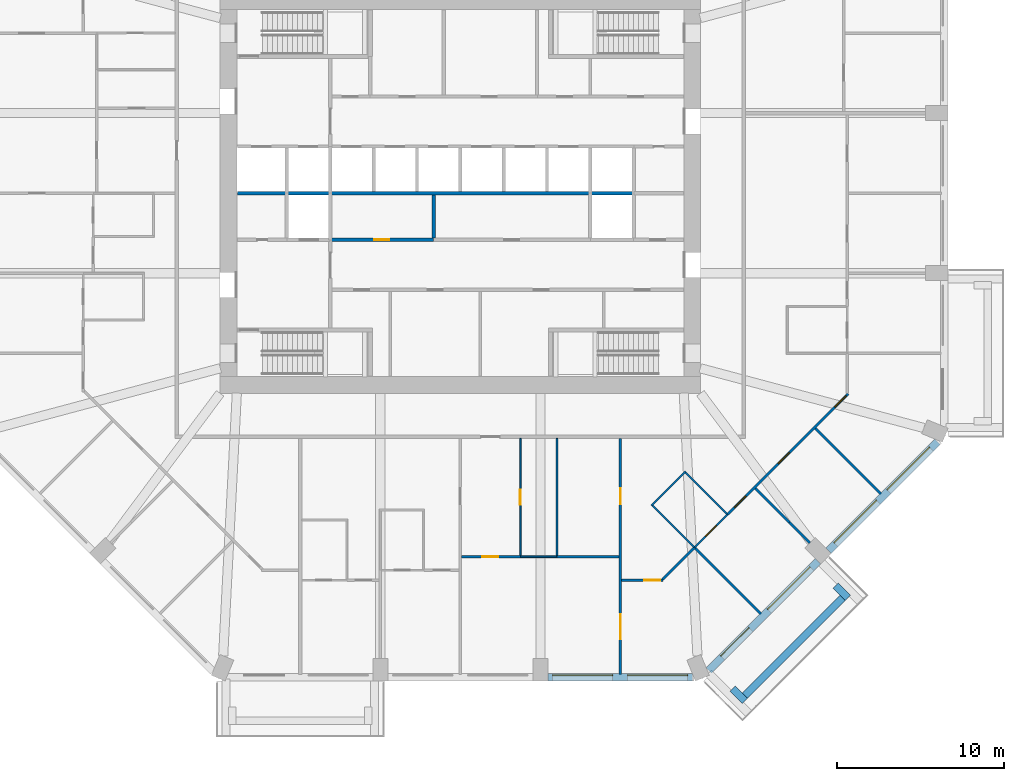
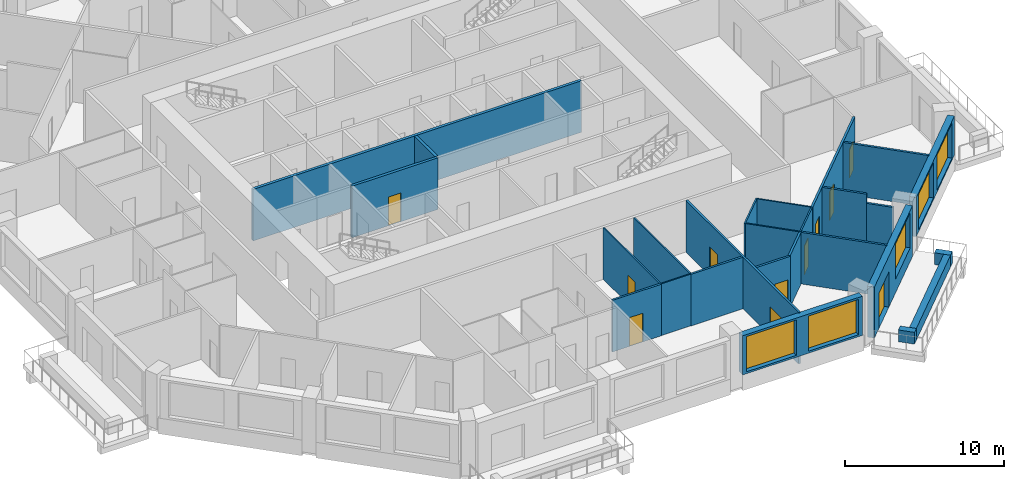
# One storey, part 5 of 13: 26 walls, 11 doors, 5 windows, 16 openings.
"""IFC4 building model written with IfcOpenShell, lengths in metres."""

from ifc_helpers import new_model, si_unit, direction, frame, frame_2d, origin, place, context, subcontext, project, spatial, rectangle, extrude, material, layer, layer_set, type_object, element, fill, save


model = new_model("IFC4")

# Units and contexts
model_context = context("Model", 3, precision=1e-05, world=origin(), true_north=direction((0.0, 1.0)))
body_context = subcontext(model_context, "Body", "Model", "MODEL_VIEW")
ifc_project = project(units=[si_unit("LENGTHUNIT", "METRE"), si_unit("AREAUNIT", "SQUARE_METRE"), si_unit("VOLUMEUNIT", "CUBIC_METRE"), si_unit("PLANEANGLEUNIT", "RADIAN"), si_unit("MASSUNIT", "GRAM", prefix="KILO")], contexts=[model_context])

# Site, building, storey
site_placement = place(None, origin())
site = spatial("IfcSite", under=ifc_project, at=site_placement, CompositionType="ELEMENT")
building_placement = place(site_placement, origin())
building = spatial("IfcBuilding", under=site, at=building_placement, Name="Msitu Wima Residences", CompositionType="ELEMENT")
storey_placement = place(building_placement, frame((0.0, 0.0, 88.5)))
storey = spatial("IfcBuildingStorey", under=building, at=storey_placement, Name="L20", CompositionType="ELEMENT", Elevation=88.5)

# Walls
ifc_material_1 = material(Name="Facing brick")
ifc_layer_1 = layer(ifc_material_1, 0.06494140625, Name="Facing brick")
ifc_material_2 = material(Name="Concrete C40/50", Category="concrete")
ifc_layer_2 = layer(ifc_material_2, 0.156005859375, Name="Concrete C40/50")
ifc_material_3 = material(Name="Waterproofing membrane")
ifc_layer_3 = layer(ifc_material_3, 0.00390625, Name="Waterproofing membrane")
ifc_material_4 = material(Name="Planting soil and planting")
ifc_layer_4 = layer(ifc_material_4, 0.22509765625, Name="Planting soil and planting")
ifc_layer_set_1 = layer_set([ifc_layer_1, ifc_layer_2, ifc_layer_3, ifc_layer_4], Name="Concrete C40/50")
wall_type_1 = type_object("IfcWallType", Name="Balcony planter PLANTER PL450", PredefinedType="USERDEFINED", material=ifc_layer_set_1)
wall_1_placement = place(storey_placement, frame((17.0693359375, -30.125732421875, 0.0), z_axis=(0.0, 0.0, 1.0), x_axis=(0.707106781187, 0.707106781187, 0.0)))
element("IfcWall", 1, at=wall_1_placement, inside=storey, type_object=wall_type_1, Name="Balcony planter SE0 L20", ObjectType="PLANTER", PredefinedType="USERDEFINED", context=body_context, shape_type="SweptSolid", body=[
    extrude(rectangle(XDim=8.2822265625, YDim=0.449951171875, at=frame_2d((4.14111328125, 0.0))), origin(), (0.0, 0.0, 1.0), 0.89990234375),
])
for number, where, z_axis, x_axis, name in (
    (2, (16.326904296875, -29.70166015625, 0.0), (0.0, 0.0, 1.0), (0.707106781187, -0.707106781187, 0.0), "Balcony planter SE0 L20"),
    (3, (22.50146484375, -23.52685546875, 0.0), (0.0, 0.0, 1.0), (0.707223014731, -0.706990528533, 0.0), "Balcony planter SE0 L20"),
):
    element("IfcWall", number, at=place(storey_placement, frame(where, z_axis=z_axis, x_axis=x_axis)), inside=storey, type_object=wall_type_1, Name=name, ObjectType="PLANTER", PredefinedType="USERDEFINED", context=body_context, shape_type="SweptSolid", body=[
        extrude(rectangle(XDim=1.050048828125, YDim=0.449951171875, at=frame_2d((0.52490234375, 0.0))), origin(), (0.0, 0.0, 1.0), 0.89990234375),
    ])

# Wall, openings, windows
ifc_material_5 = material(Name="Brick (red buff mix)", Category="masonry")
ifc_layer_5 = layer(ifc_material_5, 0.449951171875)
ifc_layer_set_2 = layer_set([ifc_layer_5], Name="Brick (red buff mix)")
wall_type_2 = type_object("IfcWallType", Name="Brick infill wall BW450", PredefinedType="SOLIDWALL", material=ifc_layer_set_2)
wall_2_placement = place(storey_placement, frame((5.25, -29.02490234375, 0.89990234375), z_axis=(0.0, 0.0, 1.0), x_axis=(1.0, 0.0, 0.0)))
wall_2 = element("IfcWall", 4, at=wall_2_placement, inside=storey, type_object=wall_type_2, Name="Brick infill wall L20 S2", PredefinedType="SOLIDWALL", context=body_context, shape_type="SweptSolid", body=[
    extrude(rectangle(XDim=8.662841796875, YDim=0.449951171875, at=frame_2d((4.33154296875, 0.0))), origin(), (0.0, 0.0, 1.0), 3.0),
])
opening_1_placement = place(wall_2_placement, frame((0.281494140625, 0.0, 0.14990234375)))
opening_1 = element("IfcOpeningElement", 5, at=opening_1_placement, cuts=wall_2, Name="Opening W18-20.020", PredefinedType="OPENING", context=body_context, shape_type="SweptSolid", body=[
    extrude(rectangle(XDim=3.60009765625, YDim=2.699951171875, at=frame_2d((1.800048828125, 1.35009765625))), frame((0.0, 0.23486328125, 0.0), z_axis=(0.0, -1.0, 0.0), x_axis=(1.0, 0.0, 0.0)), (0.0, 0.0, 1.0), 0.469970703125),
])
opening_2_placement = place(wall_2_placement, frame((4.781494140625, 0.0, 0.14990234375)))
opening_2 = element("IfcOpeningElement", 6, at=opening_2_placement, cuts=wall_2, Name="Opening W18-20.021", PredefinedType="OPENING", context=body_context, shape_type="SweptSolid", body=[
    extrude(rectangle(XDim=3.60009765625, YDim=2.699951171875, at=frame_2d((1.800048828125, 1.35009765625))), frame((0.0, 0.23486328125, 0.0), z_axis=(0.0, -1.0, 0.0), x_axis=(1.0, 0.0, 0.0)), (0.0, 0.0, 1.0), 0.469970703125),
])
ifc_material_6 = material(Name="Anodised aluminium, bronze finish, clear low-emissivity double glazing", Category="aluminium")
window_type = type_object("IfcWindowType", Name="Window W3600x2700", PartitioningType="DOUBLE_PANEL_VERTICAL", PredefinedType="WINDOW", material=ifc_material_6)
window_1_placement = place(opening_1_placement, origin())
window_1 = element("IfcWindow", 7, at=window_1_placement, inside=storey, type_object=window_type, Name="Window L20 S2.1", OverallHeight=2.699951171875, OverallWidth=3.60009765625, PartitioningType="SINGLE_PANEL", PredefinedType="WINDOW", context=body_context, shape_type="SweptSolid", body=[
    extrude(rectangle(XDim=3.60009765625, YDim=2.699951171875, at=frame_2d((1.800048828125, 1.35009765625))), frame((0.0, 0.135009765625, 0.0), z_axis=(0.0, -1.0, 0.0), x_axis=(1.0, 0.0, 0.0)), (0.0, 0.0, 1.0), 0.06005859375),
])
fill(opening_1, window_1)
window_2_placement = place(opening_2_placement, origin())
window_2 = element("IfcWindow", 8, at=window_2_placement, inside=storey, type_object=window_type, Name="Window L20 S2.2", OverallHeight=2.699951171875, OverallWidth=3.60009765625, PartitioningType="SINGLE_PANEL", PredefinedType="WINDOW", context=body_context, shape_type="SweptSolid", body=[
    extrude(rectangle(XDim=3.60009765625, YDim=2.699951171875, at=frame_2d((1.800048828125, 1.35009765625))), frame((0.0, 0.135009765625, 0.0), z_axis=(0.0, -1.0, 0.0), x_axis=(1.0, 0.0, 0.0)), (0.0, 0.0, 1.0), 0.06005859375),
])
fill(opening_2, window_2)

# Wall, openings, door, window
wall_3_placement = place(storey_placement, frame((14.903564453125, -28.61474609375, 0.0), z_axis=(0.0, 0.0, 1.0), x_axis=(0.707106781187, 0.707106781187, 0.0)))
wall_3 = element("IfcWall", 9, at=wall_3_placement, inside=storey, type_object=wall_type_2, Name="Brick infill wall L20 SE0", PredefinedType="SOLIDWALL", context=body_context, shape_type="SweptSolid", body=[
    extrude(rectangle(XDim=9.2451171875, YDim=0.449951171875, at=frame_2d((4.62255859375, 0.0))), origin(), (0.0, 0.0, 1.0), 3.89990234375),
])
opening_3_placement = place(wall_3_placement, frame((1.111328125, 0.0, 0.0)))
opening_3 = element("IfcOpeningElement", 10, at=opening_3_placement, cuts=wall_3, Name="Opening D18-20.006", PredefinedType="OPENING", context=body_context, shape_type="SweptSolid", body=[
    extrude(rectangle(XDim=2.39990234375, YDim=2.699951171875, at=frame_2d((1.199951171875, 1.35009765625))), frame((0.0, 0.23486328125, 0.0), z_axis=(0.0, -1.0, 0.0), x_axis=(1.0, 0.0, 0.0)), (0.0, 0.0, 1.0), 0.469970703125),
])
opening_4_placement = place(wall_3_placement, frame((5.072509765625, 0.0, 1.050048828125)))
opening_4 = element("IfcOpeningElement", 11, at=opening_4_placement, cuts=wall_3, Name="Opening W18-20.022", PredefinedType="OPENING", context=body_context, shape_type="SweptSolid", body=[
    extrude(rectangle(XDim=3.60009765625, YDim=2.699951171875, at=frame_2d((1.800048828125, 1.35009765625))), frame((0.0, 0.23486328125, 0.0), z_axis=(0.0, -1.0, 0.0), x_axis=(1.0, 0.0, 0.0)), (0.0, 0.0, 1.0), 0.469970703125),
])
door_type_1 = type_object("IfcDoorType", Name="Balcony door D2400x2700", OperationType="SLIDING_TO_LEFT", PredefinedType="DOOR", material=ifc_material_6)
door_1_placement = place(opening_3_placement, origin())
door_1 = element("IfcDoor", 12, at=door_1_placement, inside=storey, type_object=door_type_1, Name="Balcony door L20 SE0", OperationType="SINGLE_SWING_LEFT", OverallHeight=2.699951171875, OverallWidth=2.39990234375, PredefinedType="DOOR", context=body_context, shape_type="SweptSolid", body=[
    extrude(rectangle(XDim=2.39990234375, YDim=2.699951171875, at=frame_2d((1.199951171875, 1.35009765625))), frame((0.0, 0.1298828125, 0.0), z_axis=(0.0, -1.0, 0.0), x_axis=(1.0, 0.0, 0.0)), (0.0, 0.0, 1.0), 0.050048828125),
])
fill(opening_3, door_1)
window_3_placement = place(opening_4_placement, origin())
window_3 = element("IfcWindow", 13, at=window_3_placement, inside=storey, type_object=window_type, Name="Window L20 SE0.2", OverallHeight=2.699951171875, OverallWidth=3.60009765625, PartitioningType="SINGLE_PANEL", PredefinedType="WINDOW", context=body_context, shape_type="SweptSolid", body=[
    extrude(rectangle(XDim=3.60009765625, YDim=2.699951171875, at=frame_2d((1.800048828125, 1.35009765625))), frame((0.0, 0.135009765625, 0.0), z_axis=(0.0, -1.0, 0.0), x_axis=(1.0, 0.0, 0.0)), (0.0, 0.0, 1.0), 0.06005859375),
])
fill(opening_4, window_3)

# Wall, openings, windows
wall_4_placement = place(storey_placement, frame((22.077392578125, -21.44091796875, 0.89990234375), z_axis=(0.0, 0.0, 1.0), x_axis=(0.707106781187, 0.707106781187, 0.0)))
wall_4 = element("IfcWall", 14, at=wall_4_placement, inside=storey, type_object=wall_type_2, Name="Brick infill wall L20 SE1", PredefinedType="SOLIDWALL", context=body_context, shape_type="SweptSolid", body=[
    extrude(rectangle(XDim=9.2451171875, YDim=0.449951171875, at=frame_2d((4.62255859375, 0.0))), origin(), (0.0, 0.0, 1.0), 3.0),
])
opening_5_placement = place(wall_4_placement, frame((0.572509765625, 0.0, 0.14990234375)))
opening_5 = element("IfcOpeningElement", 15, at=opening_5_placement, cuts=wall_4, Name="Opening W18-20.023", PredefinedType="OPENING", context=body_context, shape_type="SweptSolid", body=[
    extrude(rectangle(XDim=3.60009765625, YDim=2.699951171875, at=frame_2d((1.800048828125, 1.35009765625))), frame((0.0, 0.23486328125, 0.0), z_axis=(0.0, -1.0, 0.0), x_axis=(1.0, 0.0, 0.0)), (0.0, 0.0, 1.0), 0.469970703125),
])
opening_6_placement = place(wall_4_placement, frame((5.072509765625, 0.0, 0.14990234375)))
opening_6 = element("IfcOpeningElement", 16, at=opening_6_placement, cuts=wall_4, Name="Opening W18-20.024", PredefinedType="OPENING", context=body_context, shape_type="SweptSolid", body=[
    extrude(rectangle(XDim=3.60009765625, YDim=2.699951171875, at=frame_2d((1.800048828125, 1.35009765625))), frame((0.0, 0.23486328125, 0.0), z_axis=(0.0, -1.0, 0.0), x_axis=(1.0, 0.0, 0.0)), (0.0, 0.0, 1.0), 0.469970703125),
])
window_4_placement = place(opening_5_placement, origin())
window_4 = element("IfcWindow", 17, at=window_4_placement, inside=storey, type_object=window_type, Name="Window L20 SE1.1", OverallHeight=2.699951171875, OverallWidth=3.60009765625, PartitioningType="SINGLE_PANEL", PredefinedType="WINDOW", context=body_context, shape_type="SweptSolid", body=[
    extrude(rectangle(XDim=3.60009765625, YDim=2.699951171875, at=frame_2d((1.800048828125, 1.35009765625))), frame((0.0, 0.135009765625, 0.0), z_axis=(0.0, -1.0, 0.0), x_axis=(1.0, 0.0, 0.0)), (0.0, 0.0, 1.0), 0.06005859375),
])
fill(opening_5, window_4)
window_5_placement = place(opening_6_placement, origin())
window_5 = element("IfcWindow", 18, at=window_5_placement, inside=storey, type_object=window_type, Name="Window L20 SE1.2", OverallHeight=2.699951171875, OverallWidth=3.60009765625, PartitioningType="SINGLE_PANEL", PredefinedType="WINDOW", context=body_context, shape_type="SweptSolid", body=[
    extrude(rectangle(XDim=3.60009765625, YDim=2.699951171875, at=frame_2d((1.800048828125, 1.35009765625))), frame((0.0, 0.135009765625, 0.0), z_axis=(0.0, -1.0, 0.0), x_axis=(1.0, 0.0, 0.0)), (0.0, 0.0, 1.0), 0.06005859375),
])
fill(opening_6, window_5)

# Wall, opening, door
ifc_material_7 = material(Name="Plaster")
ifc_layer_6 = layer(ifc_material_7, 0.011962890625, Name="Plaster")
ifc_material_8 = material(Name="Concrete blockwork", Category="masonry")
ifc_layer_7 = layer(ifc_material_8, 0.1259765625, Name="Concrete blockwork")
ifc_layer_8 = layer(ifc_material_7, 0.011962890625, Name="Plaster")
ifc_layer_set_3 = layer_set([ifc_layer_6, ifc_layer_7, ifc_layer_8], Name="Concrete blockwork")
wall_type_3 = type_object("IfcWallType", Name="Partition PW150", PredefinedType="PARTITIONING", material=ifc_layer_set_3)
wall_5_placement = place(storey_placement, frame((0.074951171875, -21.800048828125, 0.0), z_axis=(0.0, 0.0, 1.0), x_axis=(1.0, 0.0, 0.0)))
wall_5 = element("IfcWall", 19, at=wall_5_placement, inside=storey, type_object=wall_type_3, Name="Partition", PredefinedType="PARTITIONING", context=body_context, shape_type="SweptSolid", body=[
    extrude(rectangle(XDim=3.545166015625, YDim=0.14990234375, at=frame_2d((1.7724609375, 0.0))), origin(), (0.0, 0.0, 1.0), 3.949951171875),
])
opening_7_placement = place(wall_5_placement, frame((1.25, 0.0, 0.0)))
opening_7 = element("IfcOpeningElement", 20, at=opening_7_placement, cuts=wall_5, Name="Opening D18-20.066", PredefinedType="OPENING", context=body_context, shape_type="SweptSolid", body=[
    extrude(rectangle(XDim=0.949951171875, YDim=2.199951171875, at=frame_2d((0.47509765625, 1.10009765625))), frame((0.0, 0.0849609375, 0.0), z_axis=(0.0, -1.0, 0.0), x_axis=(1.0, 0.0, 0.0)), (0.0, 0.0, 1.0), 0.169921875),
])
ifc_material_9 = material(Name="Timber flush door", Category="wood")
door_type_2 = type_object("IfcDoorType", Name="Room door D12 950x2200", OperationType="SINGLE_SWING_LEFT", PredefinedType="DOOR", material=ifc_material_9)
door_2_placement = place(opening_7_placement, origin())
door_2 = element("IfcDoor", 21, at=door_2_placement, inside=storey, type_object=door_type_2, Name="Room door", OperationType="SINGLE_SWING_RIGHT", OverallHeight=2.199951171875, OverallWidth=0.949951171875, PredefinedType="DOOR", context=body_context, shape_type="SweptSolid", body=[
    extrude(rectangle(XDim=0.949951171875, YDim=2.199951171875, at=frame_2d((0.47509765625, 1.10009765625))), frame((0.0, 0.02490234375, 0.0), z_axis=(0.0, -1.0, 0.0), x_axis=(1.0, 0.0, 0.0)), (0.0, 0.0, 1.0), 0.050048828125),
])
fill(opening_7, door_2)

# Wall
wall_6_placement = place(storey_placement, frame((5.780029296875, -21.800048828125, 0.0), z_axis=(0.0, 0.0, 1.0), x_axis=(1.0, 0.0, 0.0)))
element("IfcWall", 22, at=wall_6_placement, inside=storey, type_object=wall_type_3, Name="Partition", PredefinedType="PARTITIONING", context=body_context, shape_type="SweptSolid", body=[
    extrude(rectangle(XDim=3.744873046875, YDim=0.14990234375, at=frame_2d((1.87255859375, 0.0))), origin(), (0.0, 0.0, 1.0), 3.949951171875),
])

# Wall, openings, doors
wall_7_placement = place(storey_placement, frame((9.60009765625, -28.85498046875, 0.0), z_axis=(0.0, 0.0, 1.0), x_axis=(0.0, 1.0, 0.0)))
wall_7 = element("IfcWall", 23, at=wall_7_placement, inside=storey, type_object=wall_type_3, Name="Partition", PredefinedType="PARTITIONING", context=body_context, shape_type="SweptSolid", body=[
    extrude(rectangle(XDim=14.155029296875, YDim=0.14990234375, at=frame_2d((7.07763671875, 0.0))), origin(), (0.0, 0.0, 1.0), 3.949951171875),
])
opening_8_placement = place(wall_7_placement, frame((2.10009765625, 0.0, 0.0)))
opening_8 = element("IfcOpeningElement", 24, at=opening_8_placement, cuts=wall_7, Name="Opening D18-20.067", PredefinedType="OPENING", context=body_context, shape_type="SweptSolid", body=[
    extrude(rectangle(XDim=1.5, YDim=2.199951171875, at=frame_2d((0.75, 1.10009765625))), frame((0.0, 0.0849609375, 0.0), z_axis=(0.0, -1.0, 0.0), x_axis=(1.0, 0.0, 0.0)), (0.0, 0.0, 1.0), 0.169921875),
])
opening_9_placement = place(wall_7_placement, frame((10.199951171875, 0.0, 0.0)))
opening_9 = element("IfcOpeningElement", 25, at=opening_9_placement, cuts=wall_7, Name="Opening D18-20.080", PredefinedType="OPENING", context=body_context, shape_type="SweptSolid", body=[
    extrude(rectangle(XDim=0.949951171875, YDim=2.199951171875, at=frame_2d((0.47509765625, 1.10009765625))), frame((0.0, 0.0849609375, 0.0), z_axis=(0.0, -1.0, 0.0), x_axis=(1.0, 0.0, 0.0)), (0.0, 0.0, 1.0), 0.169921875),
])
ifc_material_10 = material(Name="Timber double door", Category="wood")
door_type_3 = type_object("IfcDoorType", Name="Double door D04 1500x2200", OperationType="DOUBLE_DOOR_SINGLE_SWING", PredefinedType="DOOR", material=ifc_material_10)
door_3_placement = place(opening_8_placement, origin())
door_3 = element("IfcDoor", 26, at=door_3_placement, inside=storey, type_object=door_type_3, Name="Double door", OperationType="DOUBLE_DOOR_SINGLE_SWING", OverallHeight=2.199951171875, OverallWidth=1.5, PredefinedType="DOOR", context=body_context, shape_type="SweptSolid", body=[
    extrude(rectangle(XDim=1.5, YDim=2.199951171875, at=frame_2d((0.75, 1.10009765625))), frame((0.0, 0.02490234375, 0.0), z_axis=(0.0, -1.0, 0.0), x_axis=(1.0, 0.0, 0.0)), (0.0, 0.0, 1.0), 0.050048828125),
])
fill(opening_8, door_3)
door_4_placement = place(opening_9_placement, origin())
door_4 = element("IfcDoor", 27, at=door_4_placement, inside=storey, type_object=door_type_2, Name="Room door", OperationType="SINGLE_SWING_RIGHT", OverallHeight=2.199951171875, OverallWidth=0.949951171875, PredefinedType="DOOR", context=body_context, shape_type="SweptSolid", body=[
    extrude(rectangle(XDim=0.949951171875, YDim=2.199951171875, at=frame_2d((0.47509765625, 1.10009765625))), frame((0.0, 0.02490234375, 0.0), z_axis=(0.0, -1.0, 0.0), x_axis=(1.0, 0.0, 0.0)), (0.0, 0.0, 1.0), 0.050048828125),
])
fill(opening_9, door_4)

# Wall, opening, door
wall_8_placement = place(storey_placement, frame((9.675048828125, -23.199951171875, 0.0), z_axis=(0.0, 0.0, 1.0), x_axis=(1.0, 0.0, 0.0)))
wall_8 = element("IfcWall", 28, at=wall_8_placement, inside=storey, type_object=wall_type_3, Name="Partition", PredefinedType="PARTITIONING", context=body_context, shape_type="SweptSolid", body=[
    extrude(rectangle(XDim=2.48046875, YDim=0.14990234375, at=frame_2d((1.240234375, 0.0))), origin(), (0.0, 0.0, 1.0), 3.949951171875),
])
opening_10_placement = place(wall_8_placement, frame((1.35009765625, 0.0, 0.0)))
opening_10 = element("IfcOpeningElement", 29, at=opening_10_placement, cuts=wall_8, Name="Opening D18-20.073", PredefinedType="OPENING", context=body_context, shape_type="SweptSolid", body=[
    extrude(rectangle(XDim=0.949951171875, YDim=2.199951171875, at=frame_2d((0.47509765625, 1.10009765625))), frame((0.0, 0.0849609375, 0.0), z_axis=(0.0, -1.0, 0.0), x_axis=(1.0, 0.0, 0.0)), (0.0, 0.0, 1.0), 0.169921875),
])
door_5_placement = place(opening_10_placement, origin())
door_5 = element("IfcDoor", 30, at=door_5_placement, inside=storey, type_object=door_type_2, Name="Room door", OperationType="SINGLE_SWING_RIGHT", OverallHeight=2.199951171875, OverallWidth=0.949951171875, PredefinedType="DOOR", context=body_context, shape_type="SweptSolid", body=[
    extrude(rectangle(XDim=0.949951171875, YDim=2.199951171875, at=frame_2d((0.47509765625, 1.10009765625))), frame((0.0, 0.02490234375, 0.0), z_axis=(0.0, -1.0, 0.0), x_axis=(1.0, 0.0, 0.0)), (0.0, 0.0, 1.0), 0.050048828125),
])
fill(opening_10, door_5)

# Walls
wall_9_placement = place(storey_placement, frame((12.133544921875, -23.14697265625, 0.0), z_axis=(0.0, 0.0, 1.0), x_axis=(0.707106781187, 0.707106781187, 0.0)))
element("IfcWall", 31, at=wall_9_placement, inside=storey, type_object=wall_type_3, Name="Partition", PredefinedType="PARTITIONING", context=body_context, shape_type="SweptSolid", body=[
    extrude(rectangle(XDim=2.696533203125, YDim=0.14990234375, at=frame_2d((1.34814453125, 0.0))), origin(), (0.0, 0.0, 1.0), 3.949951171875),
])
wall_10_placement = place(storey_placement, frame((14.026123046875, -21.22607421875, 0.0), z_axis=(0.0, 0.0, 1.0), x_axis=(0.707085156134, -0.707128405578, 0.0)))
element("IfcWall", 32, at=wall_10_placement, inside=storey, type_object=wall_type_3, Name="Partition", PredefinedType="PARTITIONING", context=body_context, shape_type="SweptSolid", body=[
    extrude(rectangle(XDim=5.64501953125, YDim=0.14990234375, at=frame_2d((2.822509765625, 0.0))), origin(), (0.0, 0.0, 1.0), 3.949951171875),
])

# Wall, openings, doors
wall_11_placement = place(storey_placement, frame((16.02001953125, -19.26025390625, 0.0), z_axis=(0.0, 0.0, 1.0), x_axis=(0.707106781187, 0.707106781187, 0.0)))
wall_11 = element("IfcWall", 33, at=wall_11_placement, inside=storey, type_object=wall_type_3, Name="Partition", PredefinedType="PARTITIONING", context=body_context, shape_type="SweptSolid", body=[
    extrude(rectangle(XDim=10.228759765625, YDim=0.14990234375, at=frame_2d((5.1142578125, 0.0))), origin(), (0.0, 0.0, 1.0), 3.949951171875),
])
opening_11_placement = place(wall_11_placement, frame((4.300048828125, 0.0, 0.0)))
opening_11 = element("IfcOpeningElement", 34, at=opening_11_placement, cuts=wall_11, Name="Opening D18-20.074", PredefinedType="OPENING", context=body_context, shape_type="SweptSolid", body=[
    extrude(rectangle(XDim=0.949951171875, YDim=2.199951171875, at=frame_2d((0.47509765625, 1.10009765625))), frame((0.0, 0.0849609375, 0.0), z_axis=(0.0, -1.0, 0.0), x_axis=(1.0, 0.0, 0.0)), (0.0, 0.0, 1.0), 0.169921875),
])
opening_12_placement = place(wall_11_placement, frame((0.60009765625, 0.0, 0.0)))
opening_12 = element("IfcOpeningElement", 35, at=opening_12_placement, cuts=wall_11, Name="Opening D18-20.076", PredefinedType="OPENING", context=body_context, shape_type="SweptSolid", body=[
    extrude(rectangle(XDim=0.949951171875, YDim=2.199951171875, at=frame_2d((0.47509765625, 1.10009765625))), frame((0.0, 0.0849609375, 0.0), z_axis=(0.0, -1.0, 0.0), x_axis=(1.0, 0.0, 0.0)), (0.0, 0.0, 1.0), 0.169921875),
])
opening_13_placement = place(wall_11_placement, frame((9.10009765625, 0.0, 0.0)))
opening_13 = element("IfcOpeningElement", 36, at=opening_13_placement, cuts=wall_11, Name="Opening D18-20.082", PredefinedType="OPENING", context=body_context, shape_type="SweptSolid", body=[
    extrude(rectangle(XDim=0.949951171875, YDim=2.199951171875, at=frame_2d((0.47509765625, 1.10009765625))), frame((0.0, 0.0849609375, 0.0), z_axis=(0.0, -1.0, 0.0), x_axis=(1.0, 0.0, 0.0)), (0.0, 0.0, 1.0), 0.169921875),
])
door_6_placement = place(opening_11_placement, origin())
door_6 = element("IfcDoor", 37, at=door_6_placement, inside=storey, type_object=door_type_2, Name="Room door", OperationType="SINGLE_SWING_RIGHT", OverallHeight=2.199951171875, OverallWidth=0.949951171875, PredefinedType="DOOR", context=body_context, shape_type="SweptSolid", body=[
    extrude(rectangle(XDim=0.949951171875, YDim=2.199951171875, at=frame_2d((0.47509765625, 1.10009765625))), frame((0.0, 0.02490234375, 0.0), z_axis=(0.0, -1.0, 0.0), x_axis=(1.0, 0.0, 0.0)), (0.0, 0.0, 1.0), 0.050048828125),
])
fill(opening_11, door_6)
door_7_placement = place(opening_12_placement, origin())
door_7 = element("IfcDoor", 38, at=door_7_placement, inside=storey, type_object=door_type_2, Name="Room door", OperationType="SINGLE_SWING_LEFT", OverallHeight=2.199951171875, OverallWidth=0.949951171875, PredefinedType="DOOR", context=body_context, shape_type="SweptSolid", body=[
    extrude(rectangle(XDim=0.949951171875, YDim=2.199951171875, at=frame_2d((0.47509765625, 1.10009765625))), frame((0.0, 0.02490234375, 0.0), z_axis=(0.0, -1.0, 0.0), x_axis=(1.0, 0.0, 0.0)), (0.0, 0.0, 1.0), 0.050048828125),
])
fill(opening_12, door_7)
door_8_placement = place(opening_13_placement, origin())
door_8 = element("IfcDoor", 39, at=door_8_placement, inside=storey, type_object=door_type_2, Name="Room door", OperationType="SINGLE_SWING_RIGHT", OverallHeight=2.199951171875, OverallWidth=0.949951171875, PredefinedType="DOOR", context=body_context, shape_type="SweptSolid", body=[
    extrude(rectangle(XDim=0.949951171875, YDim=2.199951171875, at=frame_2d((0.47509765625, 1.10009765625))), frame((0.0, 0.02490234375, 0.0), z_axis=(0.0, -1.0, 0.0), x_axis=(1.0, 0.0, 0.0)), (0.0, 0.0, 1.0), 0.050048828125),
])
fill(opening_13, door_8)

# Walls
wall_12_placement = place(storey_placement, frame((17.693115234375, -17.693115234375, 0.0), z_axis=(0.0, 0.0, 1.0), x_axis=(0.707106781187, -0.707106781187, 0.0)))
element("IfcWall", 40, at=wall_12_placement, inside=storey, type_object=wall_type_3, Name="Partition", PredefinedType="PARTITIONING", context=body_context, shape_type="SweptSolid", body=[
    extrude(rectangle(XDim=2.876708984375, YDim=0.14990234375, at=frame_2d((1.4384765625, 0.0))), origin(), (0.0, 0.0, 1.0), 3.949951171875),
])
wall_13_placement = place(storey_placement, frame((19.727294921875, -19.727294921875, 0.0), z_axis=(0.0, 0.0, 1.0), x_axis=(0.707106781187, -0.707106781187, 0.0)))
element("IfcWall", 41, at=wall_13_placement, inside=storey, type_object=wall_type_3, Name="Partition", PredefinedType="PARTITIONING", context=body_context, shape_type="SweptSolid", body=[
    extrude(rectangle(XDim=1.74853515625, YDim=0.14990234375, at=frame_2d((0.874267578125, 0.0))), origin(), (0.0, 0.0, 1.0), 3.25),
])
wall_14_placement = place(storey_placement, frame((21.293212890625, -14.09326171875, 0.0), z_axis=(0.0, 0.0, 1.0), x_axis=(0.707128775519, -0.70708478617, 0.0)))
element("IfcWall", 42, at=wall_14_placement, inside=storey, type_object=wall_type_3, Name="Partition", PredefinedType="PARTITIONING", context=body_context, shape_type="SweptSolid", body=[
    extrude(rectangle(XDim=5.550048828125, YDim=0.14990234375, at=frame_2d((2.77490234375, 0.0))), origin(), (0.0, 0.0, 1.0), 3.949951171875),
])

# Wall, opening, door
ifc_layer_9 = layer(ifc_material_7, 0.011962890625, Name="Plaster")
ifc_material_11 = material(Name="Reinforced concrete blockwork", Category="masonry")
ifc_layer_10 = layer(ifc_material_11, 0.176025390625, Name="Reinforced concrete blockwork")
ifc_layer_11 = layer(ifc_material_7, 0.011962890625, Name="Plaster")
ifc_layer_set_4 = layer_set([ifc_layer_9, ifc_layer_10, ifc_layer_11], Name="Reinforced concrete blockwork")
wall_type_4 = type_object("IfcWallType", Name="Plant and riser wall PL200", PredefinedType="PARTITIONING", material=ifc_layer_set_4)
wall_15_placement = place(storey_placement, frame((-7.820068359375, -2.800048828125, 0.0), z_axis=(0.0, 0.0, 1.0), x_axis=(1.0, 0.0, 0.0)))
wall_15 = element("IfcWall", 43, at=wall_15_placement, inside=storey, type_object=wall_type_4, Name="Plant and riser wall", PredefinedType="PARTITIONING", context=body_context, shape_type="SweptSolid", body=[
    extrude(rectangle(XDim=6.199951171875, YDim=0.199951171875, at=frame_2d((3.10009765625, 0.0))), origin(), (0.0, 0.0, 1.0), 3.949951171875),
])
opening_14_placement = place(wall_15_placement, frame((2.64990234375, 0.0, 0.0)))
opening_14 = element("IfcOpeningElement", 44, at=opening_14_placement, cuts=wall_15, Name="Opening D18-20.029", PredefinedType="OPENING", context=body_context, shape_type="SweptSolid", body=[
    extrude(rectangle(XDim=0.89990234375, YDim=2.199951171875, at=frame_2d((0.449951171875, 1.10009765625))), frame((0.0, 0.10986328125, 0.0), z_axis=(0.0, -1.0, 0.0), x_axis=(1.0, 0.0, 0.0)), (0.0, 0.0, 1.0), 0.219970703125),
])
door_type_4 = type_object("IfcDoorType", Name="Service door D05 900x2200", OperationType="SINGLE_SWING_LEFT", PredefinedType="DOOR", material=ifc_material_9)
door_9_placement = place(opening_14_placement, origin())
door_9 = element("IfcDoor", 45, at=door_9_placement, inside=storey, type_object=door_type_4, Name="Service door", OperationType="SINGLE_SWING_LEFT", OverallHeight=2.199951171875, OverallWidth=0.89990234375, PredefinedType="DOOR", context=body_context, shape_type="SweptSolid", body=[
    extrude(rectangle(XDim=0.89990234375, YDim=2.199951171875, at=frame_2d((0.449951171875, 1.10009765625))), frame((0.0, 0.02490234375, 0.0), z_axis=(0.0, -1.0, 0.0), x_axis=(1.0, 0.0, 0.0)), (0.0, 0.0, 1.0), 0.050048828125),
])
fill(opening_14, door_9)

# Walls
wall_16_placement = place(storey_placement, frame((-1.60009765625, -2.699951171875, 0.0), z_axis=(0.0, 0.0, 1.0), x_axis=(0.0, 1.0, 0.0)))
element("IfcWall", 46, at=wall_16_placement, inside=storey, type_object=wall_type_4, Name="Plant and riser wall", PredefinedType="PARTITIONING", context=body_context, shape_type="SweptSolid", body=[
    extrude(rectangle(XDim=2.599853515625, YDim=0.199951171875, at=frame_2d((1.2998046875, 0.0))), origin(), (0.0, 0.0, 1.0), 3.949951171875),
])
ifc_material_12 = material(Name="Fire-rated board")
ifc_layer_12 = layer(ifc_material_12, 0.02490234375, Name="Fire-rated board")
ifc_material_13 = material(Name="Light-gauge stud framing with mineral wool")
ifc_layer_13 = layer(ifc_material_13, 0.14990234375, Name="Light-gauge stud framing with mineral wool")
ifc_layer_14 = layer(ifc_material_12, 0.02490234375, Name="Fire-rated board")
ifc_layer_set_5 = layer_set([ifc_layer_12, ifc_layer_13, ifc_layer_14], Name="Light-gauge stud framing with mineral wool")
wall_type_5 = type_object("IfcWallType", Name="Shaft wall SH200", PredefinedType="PARTITIONING", material=ifc_layer_set_5)
wall_17_placement = place(storey_placement, frame((-13.3701171875, 0.0, 0.0), z_axis=(0.0, 0.0, 1.0), x_axis=(1.0, 0.0, 0.0)))
element("IfcWall", 47, at=wall_17_placement, inside=storey, type_object=wall_type_5, Name="Shaft wall", PredefinedType="PARTITIONING", context=body_context, shape_type="SweptSolid", body=[
    extrude(rectangle(XDim=23.77001953125, YDim=0.199951171875, at=frame_2d((11.885009765625, 0.0))), origin(), (0.0, 0.0, 1.0), 3.949951171875),
])
ifc_material_14 = material(Name="Ceramic tiles")
ifc_layer_15 = layer(ifc_material_14, 0.008056640625, Name="Ceramic tiles")
ifc_material_15 = material(Name="Moisture-resistant board")
ifc_layer_16 = layer(ifc_material_15, 0.012451171875, Name="Moisture-resistant board")
ifc_layer_17 = layer(ifc_material_13, 0.06689453125, Name="Light-gauge stud framing with mineral wool")
ifc_layer_18 = layer(ifc_material_15, 0.012451171875, Name="Moisture-resistant board")
ifc_layer_set_6 = layer_set([ifc_layer_15, ifc_layer_16, ifc_layer_17, ifc_layer_18], Name="Light-gauge stud framing with mineral wool")
wall_type_6 = type_object("IfcWallType", Name="Wet wall PW100", PredefinedType="PARTITIONING", material=ifc_layer_set_6)
wall_18_placement = place(storey_placement, frame((3.6201171875, -21.800048828125, 0.0), z_axis=(0.0, 0.0, 1.0), x_axis=(1.0, 0.0, 0.0)))
element("IfcWall", 48, at=wall_18_placement, inside=storey, type_object=wall_type_6, Name="Wet wall", PredefinedType="PARTITIONING", context=body_context, shape_type="SweptSolid", body=[
    extrude(rectangle(XDim=2.159912109375, YDim=0.10009765625, at=frame_2d((1.080078125, 0.0))), origin(), (0.0, 0.0, 1.0), 3.949951171875),
])

# Wall, opening, door
wall_19_placement = place(storey_placement, frame((3.60009765625, -21.72509765625, 0.0), z_axis=(0.0, 0.0, 1.0), x_axis=(0.0, 1.0, 0.0)))
wall_19 = element("IfcWall", 49, at=wall_19_placement, inside=storey, type_object=wall_type_6, Name="Wet wall", PredefinedType="PARTITIONING", context=body_context, shape_type="SweptSolid", body=[
    extrude(rectangle(XDim=7.025146484375, YDim=0.10009765625, at=frame_2d((3.5126953125, 0.0))), origin(), (0.0, 0.0, 1.0), 3.949951171875),
])
opening_15_placement = place(wall_19_placement, frame((3.050048828125, 0.0, 0.0)))
opening_15 = element("IfcOpeningElement", 50, at=opening_15_placement, cuts=wall_19, Name="Opening D18-20.065", PredefinedType="OPENING", context=body_context, shape_type="SweptSolid", body=[
    extrude(rectangle(XDim=0.89990234375, YDim=2.199951171875, at=frame_2d((0.449951171875, 1.10009765625))), frame((0.0, 0.06005859375, 0.0), z_axis=(0.0, -1.0, 0.0), x_axis=(1.0, 0.0, 0.0)), (0.0, 0.0, 1.0), 0.1201171875),
])
ifc_material_16 = material(Name="Timber flush door, moisture resistant", Category="wood")
door_type_5 = type_object("IfcDoorType", Name="Bathroom door D03 900x2200", OperationType="SINGLE_SWING_LEFT", PredefinedType="DOOR", material=ifc_material_16)
door_10_placement = place(opening_15_placement, origin())
door_10 = element("IfcDoor", 51, at=door_10_placement, inside=storey, type_object=door_type_5, Name="Bathroom door", OperationType="SINGLE_SWING_RIGHT", OverallHeight=2.199951171875, OverallWidth=0.89990234375, PredefinedType="DOOR", context=body_context, shape_type="SweptSolid", body=[
    extrude(rectangle(XDim=0.89990234375, YDim=2.199951171875, at=frame_2d((0.449951171875, 1.10009765625))), frame((0.0, 0.02490234375, 0.0), z_axis=(0.0, -1.0, 0.0), x_axis=(1.0, 0.0, 0.0)), (0.0, 0.0, 1.0), 0.050048828125),
])
fill(opening_15, door_10)

# Walls
wall_20_placement = place(storey_placement, frame((5.800048828125, -21.72509765625, 0.0), z_axis=(0.0, 0.0, 1.0), x_axis=(0.0, 1.0, 0.0)))
element("IfcWall", 52, at=wall_20_placement, inside=storey, type_object=wall_type_6, Name="Wet wall", PredefinedType="PARTITIONING", context=body_context, shape_type="SweptSolid", body=[
    extrude(rectangle(XDim=7.025146484375, YDim=0.10009765625, at=frame_2d((3.5126953125, 0.0))), origin(), (0.0, 0.0, 1.0), 3.949951171875),
])
wall_21_placement = place(storey_placement, frame((11.459228515625, -18.72998046875, 0.0), z_axis=(0.0, 0.0, 1.0), x_axis=(0.707106781187, 0.707106781187, 0.0)))
element("IfcWall", 53, at=wall_21_placement, inside=storey, type_object=wall_type_6, Name="Wet wall", PredefinedType="PARTITIONING", context=body_context, shape_type="SweptSolid", body=[
    extrude(rectangle(XDim=2.89990234375, YDim=0.10009765625, at=frame_2d((1.449951171875, 0.0))), origin(), (0.0, 0.0, 1.0), 3.949951171875),
])
wall_22_placement = place(storey_placement, frame((11.530029296875, -18.72998046875, 0.0), z_axis=(0.0, 0.0, 1.0), x_axis=(0.707106781187, -0.707106781187, 0.0)))
element("IfcWall", 54, at=wall_22_placement, inside=storey, type_object=wall_type_6, Name="Wet wall", PredefinedType="PARTITIONING", context=body_context, shape_type="SweptSolid", body=[
    extrude(rectangle(XDim=3.530029296875, YDim=0.10009765625, at=frame_2d((1.76513671875, 0.0))), origin(), (0.0, 0.0, 1.0), 3.949951171875),
])
wall_23_placement = place(storey_placement, frame((13.509765625, -16.75, 0.0), z_axis=(0.0, 0.0, 1.0), x_axis=(0.707141656123, -0.70707190453, 0.0)))
element("IfcWall", 55, at=wall_23_placement, inside=storey, type_object=wall_type_6, Name="Wet wall", PredefinedType="PARTITIONING", context=body_context, shape_type="SweptSolid", body=[
    extrude(rectangle(XDim=3.500244140625, YDim=0.10009765625, at=frame_2d((1.75, 0.0))), origin(), (0.0, 0.0, 1.0), 3.949951171875),
])

# Wall, opening, door
wall_24_placement = place(storey_placement, frame((14.040283203125, -21.240234375, 0.0), z_axis=(0.0, 0.0, 1.0), x_axis=(0.707063182409, 0.707150377276, 0.0)))
wall_24 = element("IfcWall", 56, at=wall_24_placement, inside=storey, type_object=wall_type_6, Name="Wet wall", PredefinedType="PARTITIONING", context=body_context, shape_type="SweptSolid", body=[
    extrude(rectangle(XDim=2.800048828125, YDim=0.10009765625, at=frame_2d((1.39990234375, 0.0))), origin(), (0.0, 0.0, 1.0), 3.949951171875),
])
opening_16_placement = place(wall_24_placement, frame((0.949951171875, 0.0, 0.0)))
opening_16 = element("IfcOpeningElement", 57, at=opening_16_placement, cuts=wall_24, Name="Opening D18-20.077", PredefinedType="OPENING", context=body_context, shape_type="SweptSolid", body=[
    extrude(rectangle(XDim=0.89990234375, YDim=2.199951171875, at=frame_2d((0.449951171875, 1.10009765625))), frame((0.0, 0.06005859375, 0.0), z_axis=(0.0, -1.0, 0.0), x_axis=(1.0, 0.0, 0.0)), (0.0, 0.0, 1.0), 0.1201171875),
])
door_11_placement = place(opening_16_placement, origin())
door_11 = element("IfcDoor", 58, at=door_11_placement, inside=storey, type_object=door_type_5, Name="Bathroom door", OperationType="SINGLE_SWING_LEFT", OverallHeight=2.199951171875, OverallWidth=0.89990234375, PredefinedType="DOOR", context=body_context, shape_type="SweptSolid", body=[
    extrude(rectangle(XDim=0.89990234375, YDim=2.199951171875, at=frame_2d((0.449951171875, 1.10009765625))), frame((0.0, 0.02490234375, 0.0), z_axis=(0.0, -1.0, 0.0), x_axis=(1.0, 0.0, 0.0)), (0.0, 0.0, 1.0), 0.050048828125),
])
fill(opening_16, door_11)

save(model, "model.ifc")
